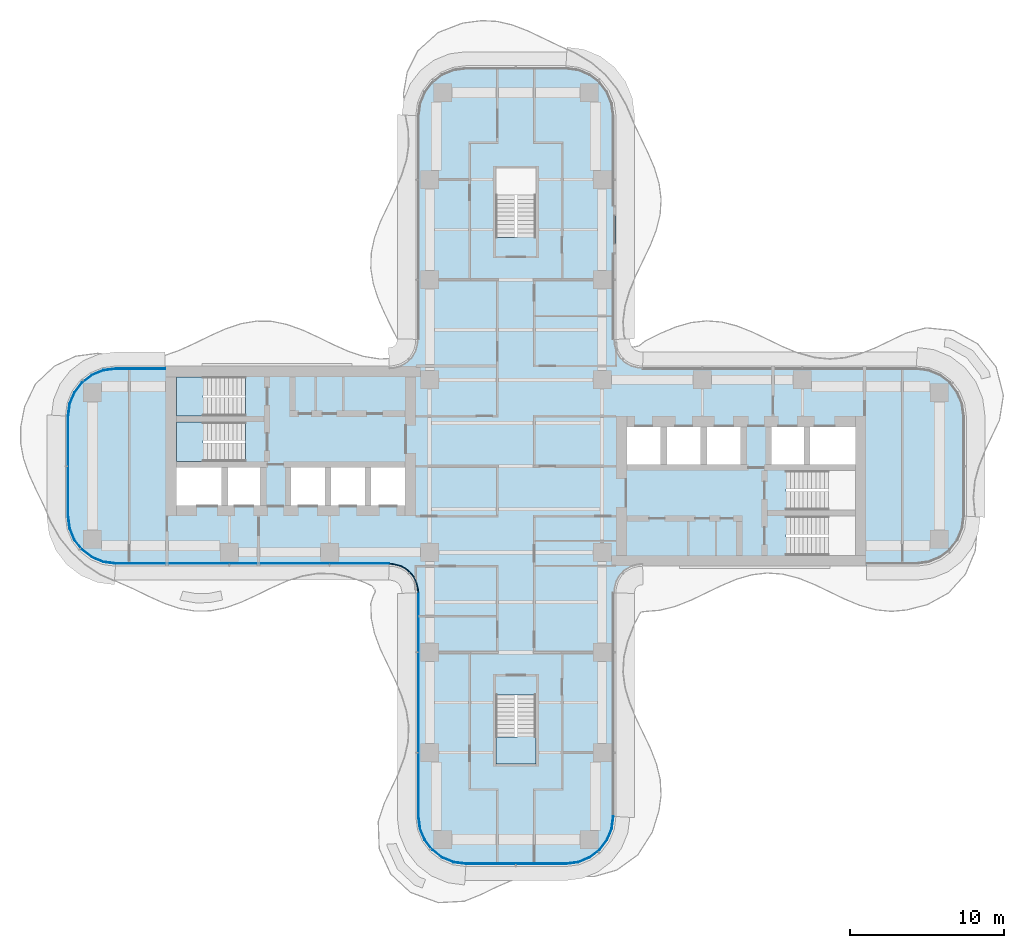
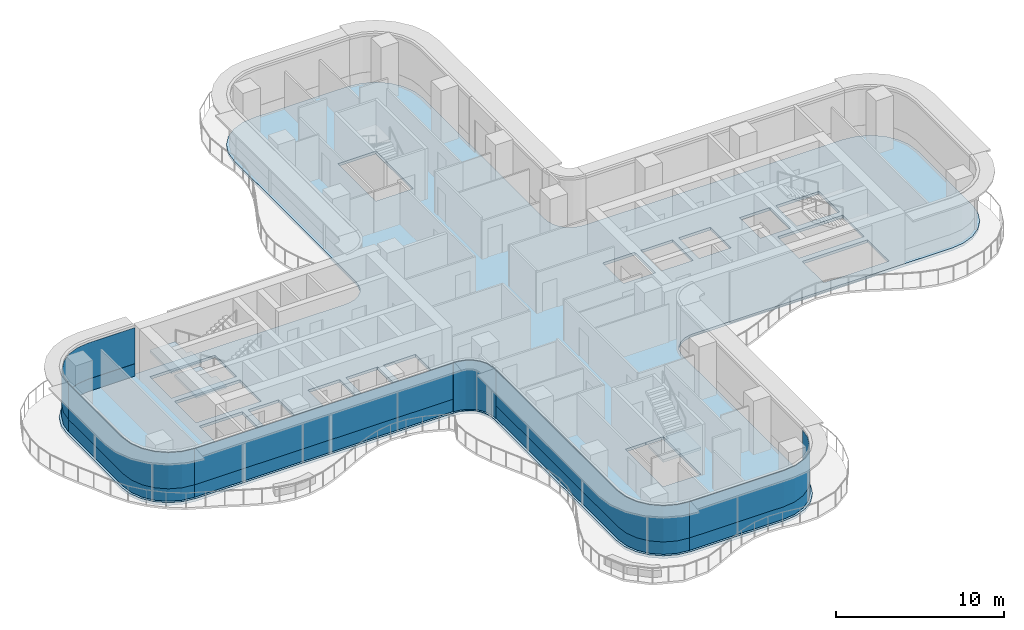
# One storey, part 9 of 17: 11 plates, 4 slabs, 9 elements without a shape of their own.
"""IFC4 building model written with IfcOpenShell, lengths in metres."""

from ifc_helpers import new_model, si_unit, direction, frame, origin, place, context, subcontext, project, spatial, polyline, outline, extrude, source, transform, mapped, material, layer, layer_set, type_object, element, aggregate, save


model = new_model("IFC4")

# Units and contexts
model_context = context("Model", 3, precision=1e-05, world=origin(), true_north=direction((0.0, 1.0)))
body_context = subcontext(model_context, "Body", "Model", "MODEL_VIEW")
ifc_project = project(units=[si_unit("LENGTHUNIT", "METRE"), si_unit("AREAUNIT", "SQUARE_METRE"), si_unit("VOLUMEUNIT", "CUBIC_METRE"), si_unit("PLANEANGLEUNIT", "RADIAN"), si_unit("MASSUNIT", "GRAM", prefix="KILO")], contexts=[model_context])

# Site, building, storey
site_placement = place(None, origin())
site = spatial("IfcSite", under=ifc_project, at=site_placement, CompositionType="ELEMENT")
building_placement = place(site_placement, origin())
building = spatial("IfcBuilding", under=site, at=building_placement, Name="Trellis Farm Tower", CompositionType="ELEMENT")
storey_placement = place(building_placement, frame((0.0, 0.0, 173.699951171875)))
storey = spatial("IfcBuildingStorey", under=building, at=storey_placement, Name="L37", CompositionType="ELEMENT", Elevation=173.699951171875)

# Slab
ifc_material_1 = material(Name="Concrete C40/50", Category="concrete")
ifc_layer_1 = layer(ifc_material_1, 0.199951171875)
ifc_layer_set_1 = layer_set([ifc_layer_1], Name="Composite deck floor slab 200")
slab_type_1 = type_object("IfcSlabType", Name="Composite deck floor slab 200", PredefinedType="FLOOR", material=ifc_layer_set_1)
shared_shape_1 = source(origin(), body_context, "Body", "SweptSolid", [
    extrude(outline(polyline([(-26.84130859375, -6.389404296875), (-27.625, -6.064697265625), (-28.298095703125, -5.548095703125), (-28.814697265625, -4.875), (-29.139404296875, -4.09130859375), (-29.25, -3.25), (-29.25, 3.25), (-29.139404296875, 4.09130859375), (-28.814697265625, 4.875), (-28.298095703125, 5.548095703125), (-27.625, 6.064697265625), (-26.84130859375, 6.389404296875), (-26.0, 6.5), (-8.2314453125, 6.5), (-8.01953125, 6.513916015625), (-7.91552734375, 6.527587890625), (-7.508544921875, 6.63671875), (-7.144287109375, 6.846923828125), (-6.846923828125, 7.144287109375), (-6.63671875, 7.508544921875), (-6.527587890625, 7.91552734375), (-6.513916015625, 8.01953125), (-6.5, 8.2314453125), (-6.5, 22.75), (-6.389404296875, 23.59130859375), (-6.064697265625, 24.375), (-5.548095703125, 25.048095703125), (-4.875, 25.564697265625), (-4.09130859375, 25.889404296875), (-3.25, 26.0), (3.25, 26.0), (4.09130859375, 25.889404296875), (4.875, 25.564697265625), (5.548095703125, 25.048095703125), (6.064697265625, 24.375), (6.389404296875, 23.59130859375), (6.5, 22.75), (6.5, 8.2314453125), (6.513916015625, 8.01953125), (6.527587890625, 7.91552734375), (6.63671875, 7.508544921875), (6.846923828125, 7.144287109375), (7.144287109375, 6.846923828125), (7.508544921875, 6.63671875), (7.91552734375, 6.527587890625), (8.01953125, 6.513916015625), (8.2314453125, 6.5), (26.0, 6.5), (26.84130859375, 6.389404296875), (27.625, 6.064697265625), (28.298095703125, 5.548095703125), (28.814697265625, 4.875), (29.139404296875, 4.09130859375), (29.25, 3.25), (29.25, -3.25), (29.139404296875, -4.09130859375), (28.814697265625, -4.875), (28.298095703125, -5.548095703125), (27.625, -6.064697265625), (26.84130859375, -6.389404296875), (26.0, -6.5), (8.2314453125, -6.5), (8.01953125, -6.513916015625), (7.91552734375, -6.527587890625), (7.508544921875, -6.63671875), (7.144287109375, -6.846923828125), (6.846923828125, -7.144287109375), (6.63671875, -7.508544921875), (6.527587890625, -7.91552734375), (6.513916015625, -8.01953125), (6.5, -8.2314453125), (6.5, -22.75), (6.389404296875, -23.59130859375), (6.064697265625, -24.375), (5.548095703125, -25.048095703125), (4.875, -25.564697265625), (4.09130859375, -25.889404296875), (3.25, -26.0), (-3.25, -26.0), (-4.09130859375, -25.889404296875), (-4.875, -25.564697265625), (-5.548095703125, -25.048095703125), (-6.064697265625, -24.375), (-6.389404296875, -23.59130859375), (-6.5, -22.75), (-6.5, -8.2314453125), (-6.513916015625, -8.01953125), (-6.527587890625, -7.91552734375), (-6.63671875, -7.508544921875), (-6.846923828125, -7.144287109375), (-7.144287109375, -6.846923828125), (-7.508544921875, -6.63671875), (-7.91552734375, -6.527587890625), (-8.01953125, -6.513916015625), (-8.2314453125, -6.5), (-26.0, -6.5), (-26.84130859375, -6.389404296875)]), holes=[polyline([(-22.050048828125, -0.10009765625), (-22.050048828125, -2.550048828125), (-19.10009765625, -2.550048828125), (-19.10009765625, -0.10009765625), (-22.050048828125, -0.10009765625)]), polyline([(-18.699951171875, -0.10009765625), (-18.699951171875, -2.550048828125), (-16.60009765625, -2.550048828125), (-16.60009765625, -0.10009765625), (-18.699951171875, -0.10009765625)]), polyline([(-14.60009765625, -0.10009765625), (-14.60009765625, -2.550048828125), (-12.39990234375, -2.550048828125), (-12.39990234375, -0.10009765625), (-14.60009765625, -0.10009765625)]), polyline([(-12.0, -0.10009765625), (-12.0, -2.550048828125), (-9.800048828125, -2.550048828125), (-9.800048828125, -0.10009765625), (-12.0, -0.10009765625)]), polyline([(-9.39990234375, -0.10009765625), (-9.39990234375, -2.550048828125), (-7.199951171875, -2.550048828125), (-7.199951171875, -0.10009765625), (-9.39990234375, -0.10009765625)]), polyline([(-17.56201171875, 1.64990234375), (-17.56201171875, 2.85009765625), (-22.050048828125, 2.85009765625), (-22.050048828125, 0.300048828125), (-17.56005859375, 0.300048828125), (-17.56005859375, 1.5), (-17.550048828125, 1.5), (-17.550048828125, 1.64990234375), (-17.56201171875, 1.64990234375)]), polyline([(-17.56201171875, 4.60009765625), (-17.56201171875, 5.800048828125), (-22.050048828125, 5.800048828125), (-22.050048828125, 3.25), (-17.56005859375, 3.25), (-17.56005859375, 4.449951171875), (-17.550048828125, 4.449951171875), (-17.550048828125, 4.60009765625), (-17.56201171875, 4.60009765625)]), polyline([(0.10009765625, 14.862060546875), (1.300048828125, 14.862060546875), (1.300048828125, 19.35009765625), (-1.300048828125, 19.35009765625), (-1.300048828125, 14.860107421875), (-0.10009765625, 14.860107421875), (-0.10009765625, 14.85009765625), (0.10009765625, 14.85009765625), (0.10009765625, 14.862060546875)]), polyline([(-0.10009765625, -14.862060546875), (-1.300048828125, -14.862060546875), (-1.300048828125, -19.35009765625), (1.300048828125, -19.35009765625), (1.300048828125, -14.860107421875), (0.10009765625, -14.860107421875), (0.10009765625, -14.85009765625), (-0.10009765625, -14.85009765625), (-0.10009765625, -14.862060546875)]), polyline([(17.56201171875, -4.60009765625), (17.56201171875, -5.800048828125), (22.050048828125, -5.800048828125), (22.050048828125, -3.25), (17.56005859375, -3.25), (17.56005859375, -4.449951171875), (17.550048828125, -4.449951171875), (17.550048828125, -4.60009765625), (17.56201171875, -4.60009765625)]), polyline([(17.56201171875, -1.64990234375), (17.56201171875, -2.85009765625), (22.050048828125, -2.85009765625), (22.050048828125, -0.300048828125), (17.56005859375, -0.300048828125), (17.56005859375, -1.5), (17.550048828125, -1.5), (17.550048828125, -1.64990234375), (17.56201171875, -1.64990234375)]), polyline([(9.39990234375, 0.10009765625), (9.39990234375, 2.550048828125), (7.199951171875, 2.550048828125), (7.199951171875, 0.10009765625), (9.39990234375, 0.10009765625)]), polyline([(12.0, 0.10009765625), (12.0, 2.550048828125), (9.800048828125, 2.550048828125), (9.800048828125, 0.10009765625), (12.0, 0.10009765625)]), polyline([(14.60009765625, 0.10009765625), (14.60009765625, 2.550048828125), (12.39990234375, 2.550048828125), (12.39990234375, 0.10009765625), (14.60009765625, 0.10009765625)]), polyline([(18.699951171875, 0.10009765625), (18.699951171875, 2.550048828125), (16.60009765625, 2.550048828125), (16.60009765625, 0.10009765625), (18.699951171875, 0.10009765625)]), polyline([(22.050048828125, 0.10009765625), (22.050048828125, 2.550048828125), (19.10009765625, 2.550048828125), (19.10009765625, 0.10009765625), (22.050048828125, 0.10009765625)])]), origin(), (0.0, 0.0, 1.0), 0.199951171875),
])
slab_1_placement = place(storey_placement, frame((0.0, 0.0, -0.199951171875)))
element("IfcSlab", 1, at=slab_1_placement, inside=storey, type_object=slab_type_1, Name="Floor slab", PredefinedType="FLOOR", context=body_context, shape_type="MappedRepresentation", body=[
    mapped(shared_shape_1, transform((0.0, 0.0, 0.0))),
])

# Stair, slab
ifc_material_2 = material(Name="Concrete C50/60", Category="concrete")
stair_type = type_object("IfcStairType", Name="CORE EXIT STAIR 22 RISERS 177 MM", PredefinedType="HALF_TURN_STAIR", material=ifc_material_2)
placement_1 = place(storey_placement, origin())
stair_1 = element("IfcStair", 2, at=placement_1, inside=storey, type_object=stair_type, Name="Exit stair S", PredefinedType="HALF_TURN_STAIR")
ifc_layer_2 = layer(ifc_material_2, 0.18994140625)
ifc_layer_set_2 = layer_set([ifc_layer_2], Name="CORE STAIR LANDING 190 CONCRETE C50/60")
slab_type_2 = type_object("IfcSlabType", Name="CORE STAIR LANDING 190 CONCRETE C50/60", PredefinedType="LANDING", material=ifc_layer_set_2)
shared_shape_2 = source(origin(), body_context, "Body", "SweptSolid", [
    extrude(outline(polyline([(1.300048828125, -19.35009765625), (-1.300048828125, -19.35009765625), (-1.300048828125, -17.60009765625), (-1.300048828125, -17.590087890625), (-0.10009765625, -17.590087890625), (-0.10009765625, -17.60009765625), (0.10009765625, -17.60009765625), (0.10009765625, -17.27197265625), (1.300048828125, -17.27197265625), (1.300048828125, -17.60009765625), (1.300048828125, -19.35009765625)])), origin(), (0.0, 0.0, 1.0), 0.18994140625),
])
placement_2 = place(storey_placement, frame((0.0, 0.0, 1.760009765625)))
slab_2 = element("IfcSlab", 3, at=placement_2, type_object=slab_type_2, Name="STS landing 1", PredefinedType="LANDING", context=body_context, shape_type="MappedRepresentation", body=[
    mapped(shared_shape_2, transform((0.0, 0.0, 0.0))),
])
aggregate(stair_1, [slab_2])

stair_2 = element("IfcStair", 4, at=placement_1, inside=storey, type_object=stair_type, Name="Exit stair W1", PredefinedType="HALF_TURN_STAIR")
shared_shape_3 = source(origin(), body_context, "Body", "SweptSolid", [
    extrude(outline(polyline([(-19.971923828125, 4.449951171875), (-19.971923828125, 3.25), (-20.300048828125, 3.25), (-22.050048828125, 3.25), (-22.050048828125, 5.800048828125), (-20.300048828125, 5.800048828125), (-20.2900390625, 5.800048828125), (-20.2900390625, 4.60009765625), (-20.300048828125, 4.60009765625), (-20.300048828125, 4.449951171875), (-19.971923828125, 4.449951171875)])), origin(), (0.0, 0.0, 1.0), 0.18994140625),
])
slab_3 = element("IfcSlab", 5, at=placement_2, type_object=slab_type_2, Name="STW1 landing 1", PredefinedType="LANDING", context=body_context, shape_type="MappedRepresentation", body=[
    mapped(shared_shape_3, transform((0.0, 0.0, 0.0))),
])
aggregate(stair_2, [slab_3])

stair_3 = element("IfcStair", 6, at=placement_1, inside=storey, type_object=stair_type, Name="Exit stair W2", PredefinedType="HALF_TURN_STAIR")
shared_shape_4 = source(origin(), body_context, "Body", "SweptSolid", [
    extrude(outline(polyline([(-19.971923828125, 1.5), (-19.971923828125, 0.300048828125), (-20.300048828125, 0.300048828125), (-22.050048828125, 0.300048828125), (-22.050048828125, 2.85009765625), (-20.300048828125, 2.85009765625), (-20.2900390625, 2.85009765625), (-20.2900390625, 1.64990234375), (-20.300048828125, 1.64990234375), (-20.300048828125, 1.5), (-19.971923828125, 1.5)])), origin(), (0.0, 0.0, 1.0), 0.18994140625),
])
slab_4 = element("IfcSlab", 7, at=placement_2, type_object=slab_type_2, Name="STW2 landing 1", PredefinedType="LANDING", context=body_context, shape_type="MappedRepresentation", body=[
    mapped(shared_shape_4, transform((0.0, 0.0, 0.0))),
])
aggregate(stair_3, [slab_4])

# Curtain wall, plate
ifc_material_3 = material(Name="Aluminium and glass curtain wall", Category="aluminium")
ifc_layer_3 = layer(ifc_material_3, 0.166015625)
ifc_layer_set_3 = layer_set([ifc_layer_3], Name="WINTER GARDEN CURTAIN WALL CW3")
curtain_wall_type_1 = type_object("IfcCurtainWallType", Name="WINTER GARDEN CURTAIN WALL CW3", PredefinedType="NOTDEFINED", material=ifc_layer_set_3)
curtain_wall_1 = element("IfcCurtainWall", 8, at=placement_1, inside=storey, type_object=curtain_wall_type_1, Name="CW3 001", PredefinedType="NOTDEFINED")
ifc_material_4 = material(Name="Clear insulated glass", Category="glass")
ifc_layer_4 = layer(ifc_material_4, 0.0458984375)
ifc_layer_set_4 = layer_set([ifc_layer_4], Name="CW3 GLASS PANEL 46")
plate_type_1 = type_object("IfcPlateType", Name="CW3 GLASS PANEL 46", PredefinedType="CURTAIN_PANEL", material=ifc_layer_set_4)
shared_shape_5 = source(origin(), body_context, "Body", "SweptSolid", [
    extrude(outline(polyline([(-8.2275390625, -6.3798828125), (-8.0078125, -6.394287109375), (-7.89208984375, -6.40966796875), (-7.462158203125, -6.52490234375), (-7.070556640625, -6.7509765625), (-6.7509765625, -7.070556640625), (-6.52490234375, -7.462158203125), (-6.40966796875, -7.89208984375), (-6.394287109375, -8.0078125), (-6.3798828125, -8.2275390625), (-6.333984375, -8.22607421875), (-6.3486328125, -8.003173828125), (-6.364501953125, -7.883056640625), (-6.48193359375, -7.4443359375), (-6.714111328125, -7.04248046875), (-7.04248046875, -6.714111328125), (-7.4443359375, -6.48193359375), (-7.883056640625, -6.364501953125), (-8.003173828125, -6.3486328125), (-8.22607421875, -6.333984375), (-8.2275390625, -6.3798828125)])), origin(), (0.0, 0.0, 1.0), 3.550048828125),
])
plate_1 = element("IfcPlate", 9, at=placement_1, type_object=plate_type_1, Name="PL3 001", PredefinedType="CURTAIN_PANEL", context=body_context, shape_type="MappedRepresentation", body=[
    mapped(shared_shape_5, transform((0.0, 0.0, 0.0))),
])
aggregate(curtain_wall_1, [plate_1])

# Curtain wall, plates
ifc_layer_5 = layer(ifc_material_3, 0.18994140625)
ifc_layer_set_5 = layer_set([ifc_layer_5], Name="RIBBON CURTAIN WALL CW1")
curtain_wall_type_2 = type_object("IfcCurtainWallType", Name="RIBBON CURTAIN WALL CW1", PredefinedType="NOTDEFINED", material=ifc_layer_set_5)
curtain_wall_2 = element("IfcCurtainWall", 10, at=placement_1, inside=storey, type_object=curtain_wall_type_2, Name="CW1 001", PredefinedType="NOTDEFINED")
ifc_layer_6 = layer(ifc_material_4, 0.0400390625)
ifc_layer_set_6 = layer_set([ifc_layer_6], Name="CW1 GLASS PANEL 40")
plate_type_2 = type_object("IfcPlateType", Name="CW1 GLASS PANEL 40", PredefinedType="CURTAIN_PANEL", material=ifc_layer_set_6)
shared_shape_6 = source(origin(), body_context, "Body", "SweptSolid", [
    extrude(outline(polyline([(-25.990234375, -6.35009765625), (-8.2265625, -6.35009765625), (-8.22509765625, -6.31005859375), (-25.987548828125, -6.31005859375), (-25.990234375, -6.35009765625)])), origin(), (0.0, 0.0, 1.0), 2.619873046875),
])
placement_3 = place(storey_placement, frame((0.0, 0.0, 0.900146484375)))
plate_2 = element("IfcPlate", 11, at=placement_3, type_object=plate_type_2, Name="PL1 001", PredefinedType="CURTAIN_PANEL", context=body_context, shape_type="MappedRepresentation", body=[
    mapped(shared_shape_6, transform((0.0, 0.0, 0.0))),
])
ifc_material_5 = material(Name="Sandstone faced insulated panel", Category="masonry")
ifc_layer_7 = layer(ifc_material_5, 0.050048828125)
ifc_layer_set_7 = layer_set([ifc_layer_7], Name="CW1 STONE SPANDREL PANEL 50")
plate_type_3 = type_object("IfcPlateType", Name="CW1 STONE SPANDREL PANEL 50", PredefinedType="CURTAIN_PANEL", material=ifc_layer_set_7)
shared_shape_7 = source(origin(), body_context, "Body", "SweptSolid", [
    extrude(outline(polyline([(-25.990234375, -6.35009765625), (-8.2265625, -6.35009765625), (-8.224853515625, -6.300048828125), (-25.98681640625, -6.300048828125), (-25.990234375, -6.35009765625)])), origin(), (0.0, 0.0, 1.0), 0.900146484375),
])
plate_3 = element("IfcPlate", 12, at=placement_1, type_object=plate_type_3, Name="PS1 001", PredefinedType="CURTAIN_PANEL", context=body_context, shape_type="MappedRepresentation", body=[
    mapped(shared_shape_7, transform((0.0, 0.0, 0.0))),
])
aggregate(curtain_wall_2, [plate_2, plate_3])

curtain_wall_3 = element("IfcCurtainWall", 13, at=placement_1, inside=storey, type_object=curtain_wall_type_2, Name="CW1 002", PredefinedType="NOTDEFINED")
shared_shape_8 = source(origin(), body_context, "Body", "SweptSolid", [
    extrude(outline(polyline([(-6.35009765625, -8.2265625), (-6.35009765625, -22.740234375), (-6.2431640625, -23.552001953125), (-5.93359375, -24.29931640625), (-5.441162109375, -24.941162109375), (-4.79931640625, -25.43359375), (-4.052001953125, -25.7431640625), (-3.240234375, -25.85009765625), (-3.237548828125, -25.81005859375), (-4.04150390625, -25.7041015625), (-4.779296875, -25.398681640625), (-5.41259765625, -24.91259765625), (-5.898681640625, -24.279296875), (-6.2041015625, -23.54150390625), (-6.31005859375, -22.737548828125), (-6.31005859375, -8.22509765625), (-6.35009765625, -8.2265625)])), origin(), (0.0, 0.0, 1.0), 2.619873046875),
])
plate_4 = element("IfcPlate", 14, at=placement_3, type_object=plate_type_2, Name="PL1 002", PredefinedType="CURTAIN_PANEL", context=body_context, shape_type="MappedRepresentation", body=[
    mapped(shared_shape_8, transform((0.0, 0.0, 0.0))),
])
shared_shape_9 = source(origin(), body_context, "Body", "SweptSolid", [
    extrude(outline(polyline([(-6.35009765625, -8.2265625), (-6.35009765625, -22.740234375), (-6.2431640625, -23.552001953125), (-5.93359375, -24.29931640625), (-5.441162109375, -24.941162109375), (-4.79931640625, -25.43359375), (-4.052001953125, -25.7431640625), (-3.240234375, -25.85009765625), (-3.23681640625, -25.800048828125), (-4.0390625, -25.6943359375), (-4.774169921875, -25.389892578125), (-5.405517578125, -24.905517578125), (-5.889892578125, -24.274169921875), (-6.1943359375, -23.5390625), (-6.300048828125, -22.73681640625), (-6.300048828125, -8.224853515625), (-6.35009765625, -8.2265625)])), origin(), (0.0, 0.0, 1.0), 0.900146484375),
])
plate_5 = element("IfcPlate", 15, at=placement_1, type_object=plate_type_3, Name="PS1 002", PredefinedType="CURTAIN_PANEL", context=body_context, shape_type="MappedRepresentation", body=[
    mapped(shared_shape_9, transform((0.0, 0.0, 0.0))),
])
aggregate(curtain_wall_3, [plate_4, plate_5])

curtain_wall_4 = element("IfcCurtainWall", 16, at=placement_1, inside=storey, type_object=curtain_wall_type_2, Name="CW1 003", PredefinedType="NOTDEFINED")
shared_shape_10 = source(origin(), body_context, "Body", "SweptSolid", [
    extrude(outline(polyline([(-3.240234375, -25.85009765625), (3.240234375, -25.85009765625), (4.052001953125, -25.7431640625), (4.79931640625, -25.43359375), (5.441162109375, -24.941162109375), (5.93359375, -24.29931640625), (6.2431640625, -23.552001953125), (6.35009765625, -22.740234375), (6.31005859375, -22.737548828125), (6.2041015625, -23.54150390625), (5.898681640625, -24.279296875), (5.41259765625, -24.91259765625), (4.779296875, -25.398681640625), (4.04150390625, -25.7041015625), (3.237548828125, -25.81005859375), (-3.237548828125, -25.81005859375), (-3.240234375, -25.85009765625)])), origin(), (0.0, 0.0, 1.0), 2.619873046875),
])
plate_6 = element("IfcPlate", 17, at=placement_3, type_object=plate_type_2, Name="PL1 003", PredefinedType="CURTAIN_PANEL", context=body_context, shape_type="MappedRepresentation", body=[
    mapped(shared_shape_10, transform((0.0, 0.0, 0.0))),
])
shared_shape_11 = source(origin(), body_context, "Body", "SweptSolid", [
    extrude(outline(polyline([(-3.240234375, -25.85009765625), (3.240234375, -25.85009765625), (4.052001953125, -25.7431640625), (4.79931640625, -25.43359375), (5.441162109375, -24.941162109375), (5.93359375, -24.29931640625), (6.2431640625, -23.552001953125), (6.35009765625, -22.740234375), (6.300048828125, -22.73681640625), (6.1943359375, -23.5390625), (5.889892578125, -24.274169921875), (5.405517578125, -24.905517578125), (4.774169921875, -25.389892578125), (4.0390625, -25.6943359375), (3.23681640625, -25.800048828125), (-3.23681640625, -25.800048828125), (-3.240234375, -25.85009765625)])), origin(), (0.0, 0.0, 1.0), 0.900146484375),
])
plate_7 = element("IfcPlate", 18, at=placement_1, type_object=plate_type_3, Name="PS1 003", PredefinedType="CURTAIN_PANEL", context=body_context, shape_type="MappedRepresentation", body=[
    mapped(shared_shape_11, transform((0.0, 0.0, 0.0))),
])
aggregate(curtain_wall_4, [plate_6, plate_7])

curtain_wall_5 = element("IfcCurtainWall", 19, at=placement_1, inside=storey, type_object=curtain_wall_type_2, Name="CW1 012", PredefinedType="NOTDEFINED")
shared_shape_12 = source(origin(), body_context, "Body", "SweptSolid", [
    extrude(outline(polyline([(-22.780029296875, 6.35009765625), (-25.990234375, 6.35009765625), (-26.802001953125, 6.2431640625), (-27.54931640625, 5.93359375), (-28.191162109375, 5.441162109375), (-28.68359375, 4.79931640625), (-28.9931640625, 4.052001953125), (-29.10009765625, 3.240234375), (-29.06005859375, 3.237548828125), (-28.9541015625, 4.04150390625), (-28.648681640625, 4.779296875), (-28.16259765625, 5.41259765625), (-27.529296875, 5.898681640625), (-26.79150390625, 6.2041015625), (-25.987548828125, 6.31005859375), (-22.780029296875, 6.31005859375), (-22.780029296875, 6.35009765625)])), origin(), (0.0, 0.0, 1.0), 2.619873046875),
])
plate_8 = element("IfcPlate", 20, at=placement_3, type_object=plate_type_2, Name="PL1 012", PredefinedType="CURTAIN_PANEL", context=body_context, shape_type="MappedRepresentation", body=[
    mapped(shared_shape_12, transform((0.0, 0.0, 0.0))),
])
shared_shape_13 = source(origin(), body_context, "Body", "SweptSolid", [
    extrude(outline(polyline([(-22.780029296875, 6.35009765625), (-25.990234375, 6.35009765625), (-26.802001953125, 6.2431640625), (-27.54931640625, 5.93359375), (-28.191162109375, 5.441162109375), (-28.68359375, 4.79931640625), (-28.9931640625, 4.052001953125), (-29.10009765625, 3.240234375), (-29.050048828125, 3.23681640625), (-28.9443359375, 4.0390625), (-28.639892578125, 4.774169921875), (-28.155517578125, 5.405517578125), (-27.524169921875, 5.889892578125), (-26.7890625, 6.1943359375), (-25.98681640625, 6.300048828125), (-22.780029296875, 6.300048828125), (-22.780029296875, 6.35009765625)])), origin(), (0.0, 0.0, 1.0), 0.900146484375),
])
plate_9 = element("IfcPlate", 21, at=placement_1, type_object=plate_type_3, Name="PS1 012", PredefinedType="CURTAIN_PANEL", context=body_context, shape_type="MappedRepresentation", body=[
    mapped(shared_shape_13, transform((0.0, 0.0, 0.0))),
])
aggregate(curtain_wall_5, [plate_8, plate_9])

curtain_wall_6 = element("IfcCurtainWall", 22, at=placement_1, inside=storey, type_object=curtain_wall_type_2, Name="CW1 013", PredefinedType="NOTDEFINED")
shared_shape_14 = source(origin(), body_context, "Body", "SweptSolid", [
    extrude(outline(polyline([(-29.10009765625, 3.240234375), (-29.10009765625, -3.240234375), (-28.9931640625, -4.052001953125), (-28.68359375, -4.79931640625), (-28.191162109375, -5.441162109375), (-27.54931640625, -5.93359375), (-26.802001953125, -6.2431640625), (-25.990234375, -6.35009765625), (-25.987548828125, -6.31005859375), (-26.79150390625, -6.2041015625), (-27.529296875, -5.898681640625), (-28.16259765625, -5.41259765625), (-28.648681640625, -4.779296875), (-28.9541015625, -4.04150390625), (-29.06005859375, -3.237548828125), (-29.06005859375, 3.237548828125), (-29.10009765625, 3.240234375)])), origin(), (0.0, 0.0, 1.0), 2.619873046875),
])
plate_10 = element("IfcPlate", 23, at=placement_3, type_object=plate_type_2, Name="PL1 013", PredefinedType="CURTAIN_PANEL", context=body_context, shape_type="MappedRepresentation", body=[
    mapped(shared_shape_14, transform((0.0, 0.0, 0.0))),
])
shared_shape_15 = source(origin(), body_context, "Body", "SweptSolid", [
    extrude(outline(polyline([(-29.10009765625, 3.240234375), (-29.10009765625, -3.240234375), (-28.9931640625, -4.052001953125), (-28.68359375, -4.79931640625), (-28.191162109375, -5.441162109375), (-27.54931640625, -5.93359375), (-26.802001953125, -6.2431640625), (-25.990234375, -6.35009765625), (-25.98681640625, -6.300048828125), (-26.7890625, -6.1943359375), (-27.524169921875, -5.889892578125), (-28.155517578125, -5.405517578125), (-28.639892578125, -4.774169921875), (-28.9443359375, -4.0390625), (-29.050048828125, -3.23681640625), (-29.050048828125, 3.23681640625), (-29.10009765625, 3.240234375)])), origin(), (0.0, 0.0, 1.0), 0.900146484375),
])
plate_11 = element("IfcPlate", 24, at=placement_1, type_object=plate_type_3, Name="PS1 013", PredefinedType="CURTAIN_PANEL", context=body_context, shape_type="MappedRepresentation", body=[
    mapped(shared_shape_15, transform((0.0, 0.0, 0.0))),
])
aggregate(curtain_wall_6, [plate_10, plate_11])

save(model, "model.ifc")
